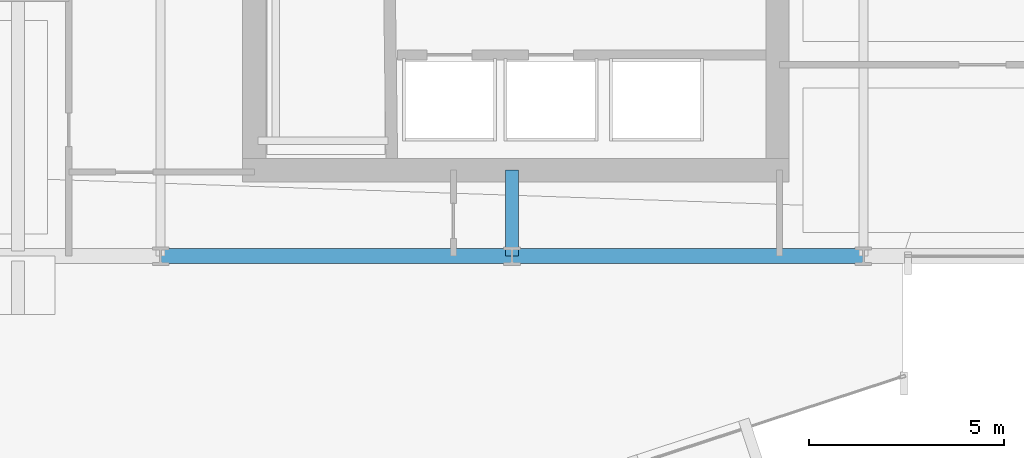
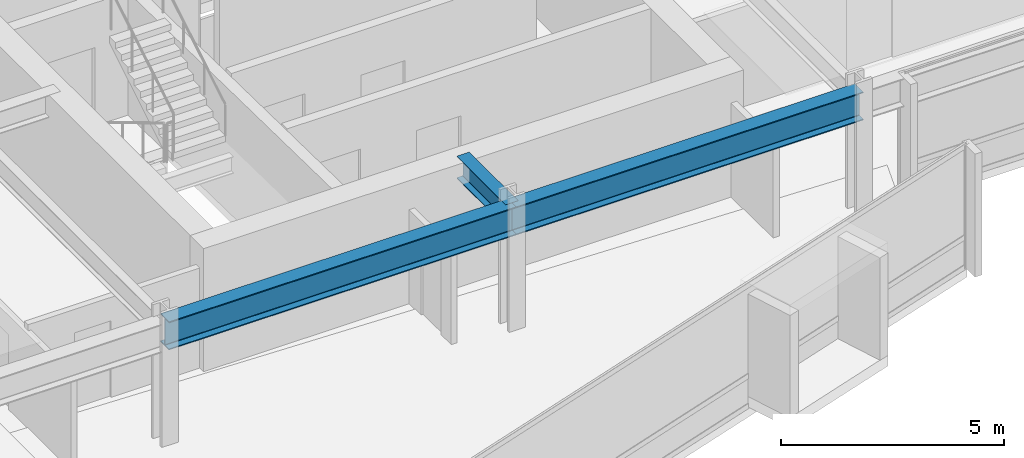
# One storey, part 11 of 35: 3 beams.
"""IFC4 building model written with IfcOpenShell, lengths in metres."""

import ifcopenshell
import ifcopenshell.guid

model = None  # the IFC model being written
_history = None  # IfcOwnerHistory: only IFC2X3 demands one
_inside = {}  # id of a spatial element -> (the spatial element, [elements in it])
_under = {}  # id of a project, library or spatial element -> (it, [spatial elements below it])
_declared = {}  # id of a project -> (the project, [libraries it declares])
_typed = {}  # id of a type object -> (the type object, [elements of that type])
_made_of = {}  # id of a material, layer set ... -> (it, [elements and type objects made of it])


def new_model(schema):
    """Start an empty IFC model of exactly this schema.

    Asked for "IFC4X3", IfcOpenShell would pick the latest addendum, in which some entities
    have other attributes; the version numbers below select the first issue.
    IFC2X3 requires an IfcOwnerHistory on every rooted entity: one is made here for all.
    """
    global model, _history
    if schema == "IFC4X3":
        model = ifcopenshell.file(schema_version=(4, 3, 0, 0))
    else:
        model = ifcopenshell.file(schema=schema)
    _inside.clear()
    _under.clear()
    _declared.clear()
    _typed.clear()
    _made_of.clear()
    _history = None
    if model.schema == "IFC2X3":
        org = make("IfcOrganization", Name="unknown")
        user = make(
            "IfcPersonAndOrganization",
            ThePerson=make("IfcPerson", FamilyName="unknown"),
            TheOrganization=org,
        )
        app = make(
            "IfcApplication",
            ApplicationDeveloper=org,
            Version="unknown",
            ApplicationFullName="unknown",
            ApplicationIdentifier="unknown",
        )
        _history = make(
            "IfcOwnerHistory",
            OwningUser=user,
            OwningApplication=app,
            ChangeAction="ADDED",
            CreationDate=0,
        )
    return model


def make(cls, **values):
    """One entity of the class cls with the attributes given. An attribute that is None is left unset."""
    return model.create_entity(
        cls, **{name: value for name, value in values.items() if value is not None}
    )


def rooted(cls, **values):
    """An entity with a GlobalId (a new one), such as an element, a storey or a relation."""
    return make(cls, GlobalId=ifcopenshell.guid.new(), OwnerHistory=_history, **values)


def si_unit(unit_type, name, prefix=None):
    """IfcSIUnit, for example si_unit("LENGTHUNIT", "METRE", prefix="MILLI")."""
    return make("IfcSIUnit", UnitType=unit_type, Prefix=prefix, Name=name)


def assignment(units):
    """IfcUnitAssignment: the units of a project."""
    return None if units is None else make("IfcUnitAssignment", Units=units)


def point(xyz):
    """IfcCartesianPoint."""
    return None if xyz is None else make("IfcCartesianPoint", Coordinates=xyz)


def direction(xyz):
    """IfcDirection."""
    return None if xyz is None else make("IfcDirection", DirectionRatios=xyz)


def frame(location, z_axis=None, x_axis=None):
    """IfcAxis2Placement3D, a coordinate frame: its origin and axes. An axis left out is left unset."""
    return make(
        "IfcAxis2Placement3D",
        Location=point(location),
        Axis=direction(z_axis),
        RefDirection=direction(x_axis),
    )


def frame_2d(location, x_axis=None):
    """IfcAxis2Placement2D, a coordinate frame in the plane: its origin and x axis."""
    return make(
        "IfcAxis2Placement2D", Location=point(location), RefDirection=direction(x_axis)
    )


def origin():
    """The frame at (0, 0, 0) with its axes left unset."""
    return frame((0.0, 0.0, 0.0))


def origin_2d():
    """The frame at (0, 0) in the plane with its x axis left unset."""
    return frame_2d((0.0, 0.0))


def place(relative_to, where):
    """IfcLocalPlacement: puts the frame where relative to a parent placement (None: the world)."""
    return make(
        "IfcLocalPlacement", PlacementRelTo=relative_to, RelativePlacement=where
    )


def context(
    kind, dimensions, precision=None, world=None, true_north=None, identifier=None
):
    """IfcGeometricRepresentationContext, for example the 3D "Model" context."""
    return make(
        "IfcGeometricRepresentationContext",
        ContextIdentifier=identifier,
        ContextType=kind,
        CoordinateSpaceDimension=dimensions,
        Precision=precision,
        WorldCoordinateSystem=world,
        TrueNorth=true_north,
    )


def subcontext(parent, identifier, kind, view, scale=None):
    """IfcGeometricRepresentationSubContext, for example "Body" below "Model"."""
    return make(
        "IfcGeometricRepresentationSubContext",
        ContextIdentifier=identifier,
        ContextType=kind,
        ParentContext=parent,
        TargetScale=scale,
        TargetView=view,
    )


def project(units=None, contexts=None):
    """IfcProject with its units and contexts."""
    return rooted(
        "IfcProject",
        Name="project",
        RepresentationContexts=contexts,
        UnitsInContext=assignment(units),
    )


def spatial(cls, under=None, at=None, **own):
    """A site, building, storey or space (cls), placed at a placement, below another one or the project."""
    s = rooted(cls, ObjectPlacement=at, **own)
    if under is not None:
        _under.setdefault(under.id(), (under, []))[1].append(s)
    return s


def profile(cls, at=None, kind="AREA", **sizes):
    """A parametric profile (cls). Its sizes go by their IFC names, for example OverallWidth=200.0."""
    return make(cls, ProfileType=kind, Position=at, **sizes)


def i_section(**sizes):
    """IfcIShapeProfileDef."""
    return profile("IfcIShapeProfileDef", **sizes)


def extrude(swept, where, along, depth):
    """IfcExtrudedAreaSolid: the profile swept, set in the frame where, extruded along a direction by depth."""
    return make(
        "IfcExtrudedAreaSolid",
        SweptArea=swept,
        Position=where,
        ExtrudedDirection=direction(along),
        Depth=depth,
    )


def shape(context_of_items, identifier, shape_type, items):
    """IfcShapeRepresentation: the items that make up one representation, for example the "Body"."""
    return make(
        "IfcShapeRepresentation",
        ContextOfItems=context_of_items,
        RepresentationIdentifier=identifier,
        RepresentationType=shape_type,
        Items=items,
    )


def material(Name=None, Category=None):
    """IfcMaterial."""
    return make("IfcMaterial", Name=Name, Category=Category)


def material_profile(
    of_material, cross_section, Name=None, Category=None, Priority=None
):
    """IfcMaterialProfile: a cross section and its material."""
    return make(
        "IfcMaterialProfile",
        Name=Name,
        Material=of_material,
        Profile=cross_section,
        Priority=Priority,
        Category=Category,
    )


def profile_set(profiles, Name=None, composite=None):
    """IfcMaterialProfileSet."""
    return make(
        "IfcMaterialProfileSet",
        Name=Name,
        MaterialProfiles=profiles,
        CompositeProfile=composite,
    )


def made_of(thing, what):
    """Note that an element or type object is made of a material, layer set ...; save() writes the relation."""
    if what is not None:
        _made_of.setdefault(what.id(), (what, []))[1].append(thing)
    return thing


def type_object(cls, material=None, **own):
    """A type object (cls), such as IfcWallType, which elements share."""
    return made_of(rooted(cls, **own), material)


def element(
    cls,
    number,
    at=None,
    inside=None,
    cuts=None,
    type_object=None,
    material=None,
    context=None,
    identifier="Body",
    shape_type=None,
    held_by="IfcProductDefinitionShape",
    body=None,
    shapes=None,
    **own,
):
    """One element of the class cls, such as IfcWall. Its Tag is "e" and its number.

    at: its placement. inside: the storey or other place that contains it. cuts: it is an
    opening in that element (IfcRelVoidsElement). A single representation is given by context,
    identifier, shape_type and body (its items); several are given by shapes. held_by: the class
    of the entity that holds the representations. save() writes the other relations.
    """
    e = rooted(cls, Tag="e%d" % number, ObjectPlacement=at, **own)
    if body is not None:
        shapes = [shape(context, identifier, shape_type, body)]
    if shapes is not None:
        e.Representation = make(held_by, Representations=shapes)
    if inside is not None:
        _inside.setdefault(inside.id(), (inside, []))[1].append(e)
    if cuts is not None:
        rooted(
            "IfcRelVoidsElement", RelatingBuildingElement=cuts, RelatedOpeningElement=e
        )
    if type_object is not None:
        _typed.setdefault(type_object.id(), (type_object, []))[1].append(e)
    return made_of(e, material)


def aggregate(whole, parts):
    """IfcRelAggregates: a whole, such as a stair, and the parts it consists of."""
    return rooted("IfcRelAggregates", RelatingObject=whole, RelatedObjects=parts)


def save(model, path):
    """Write the relations noted so far, then the file.

    IfcRelAggregates (storeys below a building ...), IfcRelContainedInSpatialStructure (elements
    in a storey), IfcRelDefinesByType, IfcRelAssociatesMaterial and IfcRelDeclares: one each for
    every whole, place, type object, material and project.
    """
    for whole, parts in _under.values():
        aggregate(whole, parts)
    for where, things in _inside.values():
        rooted(
            "IfcRelContainedInSpatialStructure",
            RelatedElements=things,
            RelatingStructure=where,
        )
    for kind, things in _typed.values():
        rooted("IfcRelDefinesByType", RelatedObjects=things, RelatingType=kind)
    for what, things in _made_of.values():
        rooted("IfcRelAssociatesMaterial", RelatedObjects=things, RelatingMaterial=what)
    for by, libraries in _declared.values():
        rooted("IfcRelDeclares", RelatingContext=by, RelatedDefinitions=libraries)
    model.write(path)


model = new_model("IFC4")

# Units and contexts
model_context = context("Model", 3, precision=1e-05, world=origin(), true_north=direction((0.0, 1.0)))
body_context = subcontext(model_context, "Body", "Model", "MODEL_VIEW")
ifc_project = project(units=[si_unit("LENGTHUNIT", "METRE"), si_unit("AREAUNIT", "SQUARE_METRE"), si_unit("VOLUMEUNIT", "CUBIC_METRE"), si_unit("PLANEANGLEUNIT", "RADIAN"), si_unit("MASSUNIT", "GRAM", prefix="KILO")], contexts=[model_context])

# Site, building, storey
site_placement = place(None, origin())
site = spatial("IfcSite", under=ifc_project, at=site_placement, CompositionType="ELEMENT")
building_placement = place(site_placement, origin())
building = spatial("IfcBuilding", under=site, at=building_placement, Name="Solvaryn Broadcast Tower", CompositionType="ELEMENT")
storey_placement = place(building_placement, frame((0.0, 0.0, 80.39990234375)))
storey = spatial("IfcBuildingStorey", under=building, at=storey_placement, Name="L19", CompositionType="ELEMENT", Elevation=80.39990234375)

# Beams
ifc_material_1 = material(Name="Steel ASTM A992 Grade 50", Category="steel")
ifc_material_profile_1 = material_profile(ifc_material_1, i_section(OverallWidth=0.323974609375, OverallDepth=0.611083984375, WebThickness=0.0126953125, FlangeThickness=0.01904296875, FilletRadius=0.014892578125, at=origin_2d()))
ifc_profile_set_1 = profile_set([ifc_material_profile_1], Name="Steel ASTM A992 Grade 50")
beam_type_1 = type_object("IfcBeamType", Name="BM-B1-W24X104", PredefinedType="BEAM", material=ifc_profile_set_1)
beam_placement = place(storey_placement, frame((36.0, 9.0, 3.064697265625), z_axis=(0.0, 1.0, 0.0), x_axis=(-1.0, 0.0, 0.0)))
element("IfcBeam", 1, at=beam_placement, inside=storey, type_object=beam_type_1, Name="L19 Core Tie Beam CTE1", PredefinedType="BEAM", context=body_context, shape_type="SweptSolid", body=[
    extrude(i_section(OverallWidth=0.323974609375, OverallDepth=0.611083984375, WebThickness=0.0126953125, FlangeThickness=0.01904296875, FilletRadius=0.014892578125, at=origin_2d()), origin(), (0.0, 0.0, 1.0), 2.199951171875),
])
ifc_material_2 = material(Name="Steel ASTM A992 Grade 50", Category="steel")
ifc_material_profile_2 = material_profile(ifc_material_2, i_section(OverallWidth=0.381103515625, OverallDepth=0.77294921875, WebThickness=0.0166015625, FlangeThickness=0.027099609375, FilletRadius=0.01806640625, at=origin_2d()))
ifc_profile_set_2 = profile_set([ifc_material_profile_2], Name="Steel ASTM A992 Grade 50")
beam_type_2 = type_object("IfcBeamType", Name="BM-SP1-W30X173", PredefinedType="USERDEFINED", material=ifc_profile_set_2)
for number, where, z_axis, x_axis, name in (
    (2, (27.0, 9.0, 2.983642578125), (1.0, 0.0, 0.0), (0.0, 1.0, 0.0), "L19 Spandrel Beam X (27-36 @ Y=9)"),
    (3, (36.0, 9.0, 2.983642578125), (1.0, 0.0, 0.0), (0.0, 1.0, 0.0), "L19 Spandrel Beam X (36-45 @ Y=9)"),
):
    element("IfcBeam", number, at=place(storey_placement, frame(where, z_axis=z_axis, x_axis=x_axis)), inside=storey, type_object=beam_type_2, Name=name, ObjectType="SPANDREL", PredefinedType="USERDEFINED", context=body_context, shape_type="SweptSolid", body=[
        extrude(i_section(OverallWidth=0.381103515625, OverallDepth=0.77294921875, WebThickness=0.0166015625, FlangeThickness=0.027099609375, FilletRadius=0.01806640625, at=origin_2d()), origin(), (0.0, 0.0, 1.0), 9.0),
    ])

save(model, "model.ifc")
